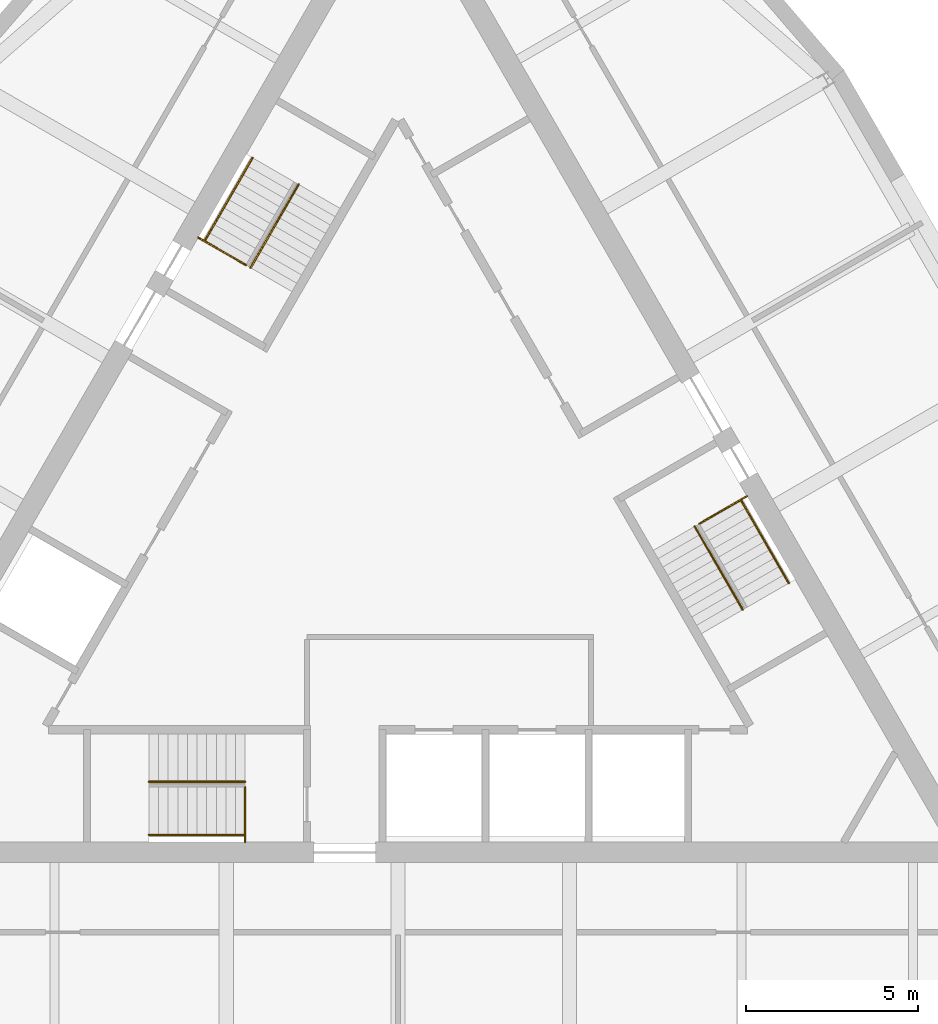
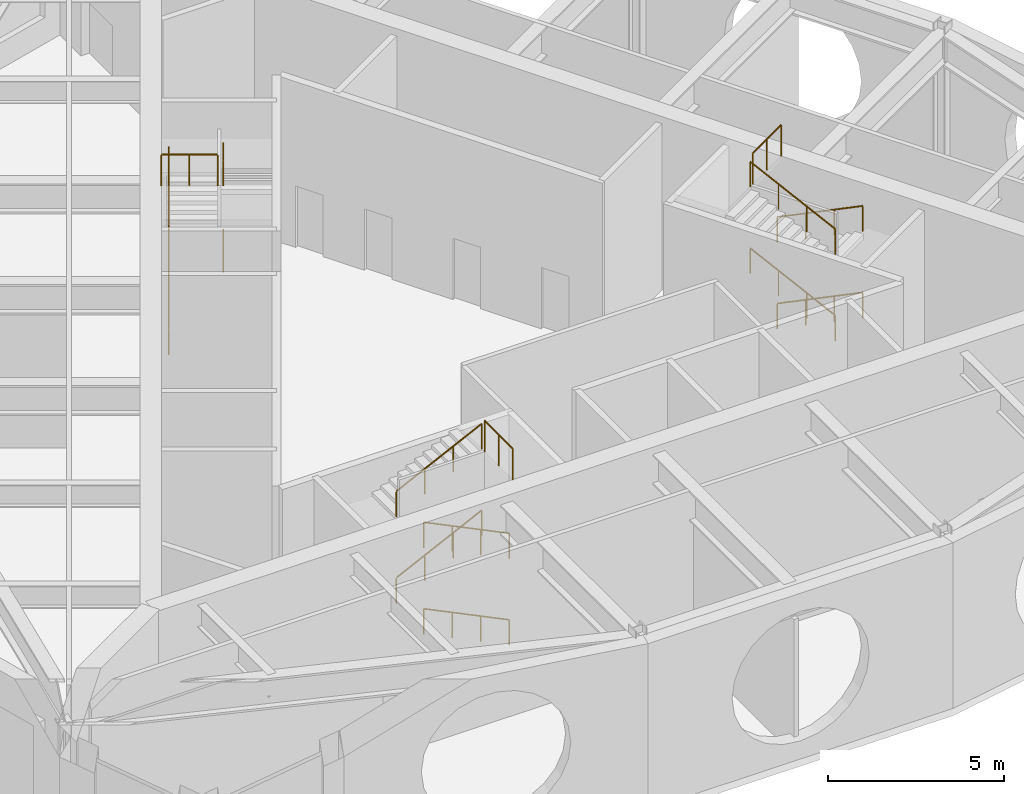
# One storey, part 5 of 5: 15 railings.
"""IFC4 building model written with IfcOpenShell, lengths in metres."""

import ifcopenshell
import ifcopenshell.guid

model = None  # the IFC model being written
_history = None  # IfcOwnerHistory: only IFC2X3 demands one
_inside = {}  # id of a spatial element -> (the spatial element, [elements in it])
_under = {}  # id of a project, library or spatial element -> (it, [spatial elements below it])
_declared = {}  # id of a project -> (the project, [libraries it declares])
_typed = {}  # id of a type object -> (the type object, [elements of that type])
_made_of = {}  # id of a material, layer set ... -> (it, [elements and type objects made of it])


def new_model(schema):
    """Start an empty IFC model of exactly this schema.

    Asked for "IFC4X3", IfcOpenShell would pick the latest addendum, in which some entities
    have other attributes; the version numbers below select the first issue.
    IFC2X3 requires an IfcOwnerHistory on every rooted entity: one is made here for all.
    """
    global model, _history
    if schema == "IFC4X3":
        model = ifcopenshell.file(schema_version=(4, 3, 0, 0))
    else:
        model = ifcopenshell.file(schema=schema)
    _inside.clear()
    _under.clear()
    _declared.clear()
    _typed.clear()
    _made_of.clear()
    _history = None
    if model.schema == "IFC2X3":
        org = make("IfcOrganization", Name="unknown")
        user = make(
            "IfcPersonAndOrganization",
            ThePerson=make("IfcPerson", FamilyName="unknown"),
            TheOrganization=org,
        )
        app = make(
            "IfcApplication",
            ApplicationDeveloper=org,
            Version="unknown",
            ApplicationFullName="unknown",
            ApplicationIdentifier="unknown",
        )
        _history = make(
            "IfcOwnerHistory",
            OwningUser=user,
            OwningApplication=app,
            ChangeAction="ADDED",
            CreationDate=0,
        )
    return model


def make(cls, **values):
    """One entity of the class cls with the attributes given. An attribute that is None is left unset."""
    return model.create_entity(
        cls, **{name: value for name, value in values.items() if value is not None}
    )


def rooted(cls, **values):
    """An entity with a GlobalId (a new one), such as an element, a storey or a relation."""
    return make(cls, GlobalId=ifcopenshell.guid.new(), OwnerHistory=_history, **values)


def si_unit(unit_type, name, prefix=None):
    """IfcSIUnit, for example si_unit("LENGTHUNIT", "METRE", prefix="MILLI")."""
    return make("IfcSIUnit", UnitType=unit_type, Prefix=prefix, Name=name)


def assignment(units):
    """IfcUnitAssignment: the units of a project."""
    return None if units is None else make("IfcUnitAssignment", Units=units)


def point(xyz):
    """IfcCartesianPoint."""
    return None if xyz is None else make("IfcCartesianPoint", Coordinates=xyz)


def direction(xyz):
    """IfcDirection."""
    return None if xyz is None else make("IfcDirection", DirectionRatios=xyz)


def frame(location, z_axis=None, x_axis=None):
    """IfcAxis2Placement3D, a coordinate frame: its origin and axes. An axis left out is left unset."""
    return make(
        "IfcAxis2Placement3D",
        Location=point(location),
        Axis=direction(z_axis),
        RefDirection=direction(x_axis),
    )


def frame_2d(location, x_axis=None):
    """IfcAxis2Placement2D, a coordinate frame in the plane: its origin and x axis."""
    return make(
        "IfcAxis2Placement2D", Location=point(location), RefDirection=direction(x_axis)
    )


def origin():
    """The frame at (0, 0, 0) with its axes left unset."""
    return frame((0.0, 0.0, 0.0))


def origin_2d():
    """The frame at (0, 0) in the plane with its x axis left unset."""
    return frame_2d((0.0, 0.0))


def place(relative_to, where):
    """IfcLocalPlacement: puts the frame where relative to a parent placement (None: the world)."""
    return make(
        "IfcLocalPlacement", PlacementRelTo=relative_to, RelativePlacement=where
    )


def context(
    kind, dimensions, precision=None, world=None, true_north=None, identifier=None
):
    """IfcGeometricRepresentationContext, for example the 3D "Model" context."""
    return make(
        "IfcGeometricRepresentationContext",
        ContextIdentifier=identifier,
        ContextType=kind,
        CoordinateSpaceDimension=dimensions,
        Precision=precision,
        WorldCoordinateSystem=world,
        TrueNorth=true_north,
    )


def subcontext(parent, identifier, kind, view, scale=None):
    """IfcGeometricRepresentationSubContext, for example "Body" below "Model"."""
    return make(
        "IfcGeometricRepresentationSubContext",
        ContextIdentifier=identifier,
        ContextType=kind,
        ParentContext=parent,
        TargetScale=scale,
        TargetView=view,
    )


def project(units=None, contexts=None):
    """IfcProject with its units and contexts."""
    return rooted(
        "IfcProject",
        Name="project",
        RepresentationContexts=contexts,
        UnitsInContext=assignment(units),
    )


def spatial(cls, under=None, at=None, **own):
    """A site, building, storey or space (cls), placed at a placement, below another one or the project."""
    s = rooted(cls, ObjectPlacement=at, **own)
    if under is not None:
        _under.setdefault(under.id(), (under, []))[1].append(s)
    return s


def profile(cls, at=None, kind="AREA", **sizes):
    """A parametric profile (cls). Its sizes go by their IFC names, for example OverallWidth=200.0."""
    return make(cls, ProfileType=kind, Position=at, **sizes)


def circle(**sizes):
    """IfcCircleProfileDef."""
    return profile("IfcCircleProfileDef", **sizes)


def extrude(swept, where, along, depth):
    """IfcExtrudedAreaSolid: the profile swept, set in the frame where, extruded along a direction by depth."""
    return make(
        "IfcExtrudedAreaSolid",
        SweptArea=swept,
        Position=where,
        ExtrudedDirection=direction(along),
        Depth=depth,
    )


def shape(context_of_items, identifier, shape_type, items):
    """IfcShapeRepresentation: the items that make up one representation, for example the "Body"."""
    return make(
        "IfcShapeRepresentation",
        ContextOfItems=context_of_items,
        RepresentationIdentifier=identifier,
        RepresentationType=shape_type,
        Items=items,
    )


def material(Name=None, Category=None):
    """IfcMaterial."""
    return make("IfcMaterial", Name=Name, Category=Category)


def made_of(thing, what):
    """Note that an element or type object is made of a material, layer set ...; save() writes the relation."""
    if what is not None:
        _made_of.setdefault(what.id(), (what, []))[1].append(thing)
    return thing


def type_object(cls, material=None, **own):
    """A type object (cls), such as IfcWallType, which elements share."""
    return made_of(rooted(cls, **own), material)


def element(
    cls,
    number,
    at=None,
    inside=None,
    cuts=None,
    type_object=None,
    material=None,
    context=None,
    identifier="Body",
    shape_type=None,
    held_by="IfcProductDefinitionShape",
    body=None,
    shapes=None,
    **own,
):
    """One element of the class cls, such as IfcWall. Its Tag is "e" and its number.

    at: its placement. inside: the storey or other place that contains it. cuts: it is an
    opening in that element (IfcRelVoidsElement). A single representation is given by context,
    identifier, shape_type and body (its items); several are given by shapes. held_by: the class
    of the entity that holds the representations. save() writes the other relations.
    """
    e = rooted(cls, Tag="e%d" % number, ObjectPlacement=at, **own)
    if body is not None:
        shapes = [shape(context, identifier, shape_type, body)]
    if shapes is not None:
        e.Representation = make(held_by, Representations=shapes)
    if inside is not None:
        _inside.setdefault(inside.id(), (inside, []))[1].append(e)
    if cuts is not None:
        rooted(
            "IfcRelVoidsElement", RelatingBuildingElement=cuts, RelatedOpeningElement=e
        )
    if type_object is not None:
        _typed.setdefault(type_object.id(), (type_object, []))[1].append(e)
    return made_of(e, material)


def aggregate(whole, parts):
    """IfcRelAggregates: a whole, such as a stair, and the parts it consists of."""
    return rooted("IfcRelAggregates", RelatingObject=whole, RelatedObjects=parts)


def save(model, path):
    """Write the relations noted so far, then the file.

    IfcRelAggregates (storeys below a building ...), IfcRelContainedInSpatialStructure (elements
    in a storey), IfcRelDefinesByType, IfcRelAssociatesMaterial and IfcRelDeclares: one each for
    every whole, place, type object, material and project.
    """
    for whole, parts in _under.values():
        aggregate(whole, parts)
    for where, things in _inside.values():
        rooted(
            "IfcRelContainedInSpatialStructure",
            RelatedElements=things,
            RelatingStructure=where,
        )
    for kind, things in _typed.values():
        rooted("IfcRelDefinesByType", RelatedObjects=things, RelatingType=kind)
    for what, things in _made_of.values():
        rooted("IfcRelAssociatesMaterial", RelatedObjects=things, RelatingMaterial=what)
    for by, libraries in _declared.values():
        rooted("IfcRelDeclares", RelatingContext=by, RelatedDefinitions=libraries)
    model.write(path)


model = new_model("IFC4")

# Units and contexts
model_context = context("Model", 3, precision=1e-05, world=origin(), true_north=direction((0.0, 1.0)))
body_context = subcontext(model_context, "Body", "Model", "MODEL_VIEW")
ifc_project = project(units=[si_unit("LENGTHUNIT", "METRE"), si_unit("AREAUNIT", "SQUARE_METRE"), si_unit("VOLUMEUNIT", "CUBIC_METRE"), si_unit("PLANEANGLEUNIT", "RADIAN"), si_unit("MASSUNIT", "GRAM", prefix="KILO")], contexts=[model_context])

# Site, building, storey
site_placement = place(None, origin())
site = spatial("IfcSite", under=ifc_project, at=site_placement, CompositionType="ELEMENT")
building_placement = place(site_placement, origin())
building = spatial("IfcBuilding", under=site, at=building_placement, Name="Trikona Tower", CompositionType="ELEMENT")
storey_placement = place(building_placement, frame((0.0, 0.0, 297.800048828125)))
storey = spatial("IfcBuildingStorey", under=building, at=storey_placement, Name="L77", CompositionType="ELEMENT", Elevation=297.800048828125)

# Railings
ifc_material_1 = material(Name="Stainless steel handrail", Category="steel")
railing_type_1 = type_object("IfcRailingType", Name="Stair handrail", PredefinedType="HANDRAIL", material=ifc_material_1)
railing_1_placement = place(storey_placement, frame((-4.449951171875, -9.016357421875, 0.13623046875)))
element("IfcRailing", 1, at=railing_1_placement, inside=storey, type_object=railing_type_1, Name="Stair handrail A L77 1", PredefinedType="HANDRAIL", context=body_context, shape_type="SweptSolid", body=[
    extrude(circle(Radius=0.02392578125, at=origin_2d()), frame((0.0, 0.0, 0.8759765625), z_axis=(-0.899034972723, 0.0, 0.437876829508), x_axis=(0.0, -1.0, 0.0)), (0.0, 0.0, 1.0), 3.114501953125),
    extrude(circle(Radius=0.02099609375, at=origin_2d()), origin(), (0.0, 0.0, 1.0), 0.851806640625),
    extrude(circle(Radius=0.02099609375, at=origin_2d()), frame((-0.933349609375, 0.0, 0.45458984375)), (0.0, 0.0, 1.0), 0.851806640625),
    extrude(circle(Radius=0.02099609375, at=origin_2d()), frame((-1.86669921875, 0.0, 0.9091796875)), (0.0, 0.0, 1.0), 0.851806640625),
    extrude(circle(Radius=0.02099609375, at=origin_2d()), frame((-2.800048828125, 0.0, 1.36376953125)), (0.0, 0.0, 1.0), 0.851806640625),
])
railing_2_placement = place(storey_placement, frame((-7.25, -7.46630859375, 1.63623046875)))
element("IfcRailing", 2, at=railing_2_placement, inside=storey, type_object=railing_type_1, Name="Stair handrail A L77 2", PredefinedType="HANDRAIL", context=body_context, shape_type="SweptSolid", body=[
    extrude(circle(Radius=0.02392578125, at=origin_2d()), frame((0.0, 0.0, 0.8759765625), z_axis=(0.899034972723, 0.0, 0.437876829508), x_axis=(0.0, 1.0, 0.0)), (0.0, 0.0, 1.0), 3.114501953125),
    extrude(circle(Radius=0.02099609375, at=origin_2d()), origin(), (0.0, 0.0, 1.0), 0.851806640625),
    extrude(circle(Radius=0.02099609375, at=origin_2d()), frame((0.933349609375, 0.0, 0.45458984375)), (0.0, 0.0, 1.0), 0.851806640625),
    extrude(circle(Radius=0.02099609375, at=origin_2d()), frame((1.86669921875, 0.0, 0.9091796875)), (0.0, 0.0, 1.0), 0.851806640625),
    extrude(circle(Radius=0.02099609375, at=origin_2d()), frame((2.800048828125, 0.0, 1.36376953125)), (0.0, 0.0, 1.0), 0.851806640625),
])
railing_3_placement = place(storey_placement, frame((-4.449951171875, -9.016357421875, 3.13623046875)))
element("IfcRailing", 3, at=railing_3_placement, inside=storey, type_object=railing_type_1, Name="Stair handrail A L77 3", PredefinedType="HANDRAIL", context=body_context, shape_type="SweptSolid", body=[
    extrude(circle(Radius=0.02392578125, at=origin_2d()), frame((0.0, 0.0, 0.8759765625), z_axis=(-0.899034972723, 0.0, 0.437876829508), x_axis=(0.0, -1.0, 0.0)), (0.0, 0.0, 1.0), 3.114501953125),
    extrude(circle(Radius=0.02099609375, at=origin_2d()), origin(), (0.0, 0.0, 1.0), 0.851806640625),
    extrude(circle(Radius=0.02099609375, at=origin_2d()), frame((-0.933349609375, 0.0, 0.45458984375)), (0.0, 0.0, 1.0), 0.851806640625),
    extrude(circle(Radius=0.02099609375, at=origin_2d()), frame((-1.86669921875, 0.0, 0.9091796875)), (0.0, 0.0, 1.0), 0.851806640625),
    extrude(circle(Radius=0.02099609375, at=origin_2d()), frame((-2.800048828125, 0.0, 1.36376953125)), (0.0, 0.0, 1.0), 0.851806640625),
])
railing_4_placement = place(storey_placement, frame((-7.25, -7.46630859375, 4.63623046875)))
element("IfcRailing", 4, at=railing_4_placement, inside=storey, type_object=railing_type_1, Name="Stair handrail A L77 4", PredefinedType="HANDRAIL", context=body_context, shape_type="SweptSolid", body=[
    extrude(circle(Radius=0.02392578125, at=origin_2d()), frame((0.0, 0.0, 0.8759765625), z_axis=(0.899034972723, 0.0, 0.437876829508), x_axis=(0.0, 1.0, 0.0)), (0.0, 0.0, 1.0), 3.114501953125),
    extrude(circle(Radius=0.02099609375, at=origin_2d()), origin(), (0.0, 0.0, 1.0), 0.851806640625),
    extrude(circle(Radius=0.02099609375, at=origin_2d()), frame((0.933349609375, 0.0, 0.45458984375)), (0.0, 0.0, 1.0), 0.851806640625),
    extrude(circle(Radius=0.02099609375, at=origin_2d()), frame((1.86669921875, 0.0, 0.9091796875)), (0.0, 0.0, 1.0), 0.851806640625),
    extrude(circle(Radius=0.02099609375, at=origin_2d()), frame((2.800048828125, 0.0, 1.36376953125)), (0.0, 0.0, 1.0), 0.851806640625),
])
railing_5_placement = place(storey_placement, frame((9.9833984375, 0.740966796875, 0.13623046875)))
element("IfcRailing", 5, at=railing_5_placement, inside=storey, type_object=railing_type_1, Name="Stair handrail B L77 1", PredefinedType="HANDRAIL", context=body_context, shape_type="SweptSolid", body=[
    extrude(circle(Radius=0.02392578125, at=origin_2d()), frame((0.0, 0.0, 0.8759765625), z_axis=(0.449470995421, -0.778617962595, 0.437869721036), x_axis=(0.866056369097, 0.49994636267, 0.0)), (0.0, 0.0, 1.0), 3.114501953125),
    extrude(circle(Radius=0.02099609375, at=origin_2d()), origin(), (0.0, 0.0, 1.0), 0.851806640625),
    extrude(circle(Radius=0.02099609375, at=origin_2d()), frame((0.466552734375, -0.808349609375, 0.45458984375)), (0.0, 0.0, 1.0), 0.851806640625),
    extrude(circle(Radius=0.02099609375, at=origin_2d()), frame((0.933349609375, -1.61669921875, 0.9091796875)), (0.0, 0.0, 1.0), 0.851806640625),
    extrude(circle(Radius=0.02099609375, at=origin_2d()), frame((1.39990234375, -2.425048828125, 1.36376953125)), (0.0, 0.0, 1.0), 0.851806640625),
])
railing_6_placement = place(storey_placement, frame((10.041015625, -2.458984375, 1.63623046875)))
element("IfcRailing", 6, at=railing_6_placement, inside=storey, type_object=railing_type_1, Name="Stair handrail B L77 2", PredefinedType="HANDRAIL", context=body_context, shape_type="SweptSolid", body=[
    extrude(circle(Radius=0.02392578125, at=origin_2d()), frame((0.0, 0.0, 0.8759765625), z_axis=(-0.449470995421, 0.778617962595, 0.437869721036), x_axis=(-0.866056369097, -0.49994636267, 0.0)), (0.0, 0.0, 1.0), 3.114501953125),
    extrude(circle(Radius=0.02099609375, at=origin_2d()), origin(), (0.0, 0.0, 1.0), 0.851806640625),
    extrude(circle(Radius=0.02099609375, at=origin_2d()), frame((-0.466552734375, 0.808349609375, 0.45458984375)), (0.0, 0.0, 1.0), 0.851806640625),
    extrude(circle(Radius=0.02099609375, at=origin_2d()), frame((-0.933349609375, 1.61669921875, 0.9091796875)), (0.0, 0.0, 1.0), 0.851806640625),
    extrude(circle(Radius=0.02099609375, at=origin_2d()), frame((-1.39990234375, 2.425048828125, 1.36376953125)), (0.0, 0.0, 1.0), 0.851806640625),
])
railing_7_placement = place(storey_placement, frame((9.9833984375, 0.740966796875, 3.13623046875)))
element("IfcRailing", 7, at=railing_7_placement, inside=storey, type_object=railing_type_1, Name="Stair handrail B L77 3", PredefinedType="HANDRAIL", context=body_context, shape_type="SweptSolid", body=[
    extrude(circle(Radius=0.02392578125, at=origin_2d()), frame((0.0, 0.0, 0.8759765625), z_axis=(0.449470995421, -0.778617962595, 0.437869721036), x_axis=(0.866056369097, 0.49994636267, 0.0)), (0.0, 0.0, 1.0), 3.114501953125),
    extrude(circle(Radius=0.02099609375, at=origin_2d()), origin(), (0.0, 0.0, 1.0), 0.851806640625),
    extrude(circle(Radius=0.02099609375, at=origin_2d()), frame((0.466552734375, -0.808349609375, 0.45458984375)), (0.0, 0.0, 1.0), 0.851806640625),
    extrude(circle(Radius=0.02099609375, at=origin_2d()), frame((0.933349609375, -1.61669921875, 0.9091796875)), (0.0, 0.0, 1.0), 0.851806640625),
    extrude(circle(Radius=0.02099609375, at=origin_2d()), frame((1.39990234375, -2.425048828125, 1.36376953125)), (0.0, 0.0, 1.0), 0.851806640625),
])
railing_8_placement = place(storey_placement, frame((10.041015625, -2.458984375, 4.63623046875)))
element("IfcRailing", 8, at=railing_8_placement, inside=storey, type_object=railing_type_1, Name="Stair handrail B L77 4", PredefinedType="HANDRAIL", context=body_context, shape_type="SweptSolid", body=[
    extrude(circle(Radius=0.02392578125, at=origin_2d()), frame((0.0, 0.0, 0.8759765625), z_axis=(-0.449470995421, 0.778617962595, 0.437869721036), x_axis=(-0.866056369097, -0.49994636267, 0.0)), (0.0, 0.0, 1.0), 3.114501953125),
    extrude(circle(Radius=0.02099609375, at=origin_2d()), origin(), (0.0, 0.0, 1.0), 0.851806640625),
    extrude(circle(Radius=0.02099609375, at=origin_2d()), frame((-0.466552734375, 0.808349609375, 0.45458984375)), (0.0, 0.0, 1.0), 0.851806640625),
    extrude(circle(Radius=0.02099609375, at=origin_2d()), frame((-0.933349609375, 1.61669921875, 0.9091796875)), (0.0, 0.0, 1.0), 0.851806640625),
    extrude(circle(Radius=0.02099609375, at=origin_2d()), frame((-1.39990234375, 2.425048828125, 1.36376953125)), (0.0, 0.0, 1.0), 0.851806640625),
])
railing_9_placement = place(storey_placement, frame((-5.63330078125, 8.275390625, 0.13623046875)))
element("IfcRailing", 9, at=railing_9_placement, inside=storey, type_object=railing_type_1, Name="Stair handrail C L77 1", PredefinedType="HANDRAIL", context=body_context, shape_type="SweptSolid", body=[
    extrude(circle(Radius=0.02392578125, at=origin_2d()), frame((0.0, 0.0, 0.8759765625), z_axis=(0.449498429348, 0.778587094573, 0.437896446867), x_axis=(-0.866034573852, 0.49998411664, 0.0)), (0.0, 0.0, 1.0), 3.1142578125),
    extrude(circle(Radius=0.02099609375, at=origin_2d()), origin(), (0.0, 0.0, 1.0), 0.851806640625),
    extrude(circle(Radius=0.02099609375, at=origin_2d()), frame((0.466552734375, 0.808349609375, 0.45458984375)), (0.0, 0.0, 1.0), 0.851806640625),
    extrude(circle(Radius=0.02099609375, at=origin_2d()), frame((0.933349609375, 1.616455078125, 0.9091796875)), (0.0, 0.0, 1.0), 0.851806640625),
    extrude(circle(Radius=0.02099609375, at=origin_2d()), frame((1.39990234375, 2.4248046875, 1.36376953125)), (0.0, 0.0, 1.0), 0.851806640625),
])
railing_10_placement = place(storey_placement, frame((-2.89111328125, 9.92529296875, 1.63623046875)))
element("IfcRailing", 10, at=railing_10_placement, inside=storey, type_object=railing_type_1, Name="Stair handrail C L77 2", PredefinedType="HANDRAIL", context=body_context, shape_type="SweptSolid", body=[
    extrude(circle(Radius=0.02392578125, at=origin_2d()), frame((0.0, 0.0, 0.8759765625), z_axis=(-0.449470995421, -0.778617962595, 0.437869721036), x_axis=(0.866056369097, -0.49994636267, 0.0)), (0.0, 0.0, 1.0), 3.114501953125),
    extrude(circle(Radius=0.02099609375, at=origin_2d()), origin(), (0.0, 0.0, 1.0), 0.851806640625),
    extrude(circle(Radius=0.02099609375, at=origin_2d()), frame((-0.466552734375, -0.808349609375, 0.45458984375)), (0.0, 0.0, 1.0), 0.851806640625),
    extrude(circle(Radius=0.02099609375, at=origin_2d()), frame((-0.933349609375, -1.61669921875, 0.9091796875)), (0.0, 0.0, 1.0), 0.851806640625),
    extrude(circle(Radius=0.02099609375, at=origin_2d()), frame((-1.39990234375, -2.425048828125, 1.36376953125)), (0.0, 0.0, 1.0), 0.851806640625),
])
railing_11_placement = place(storey_placement, frame((-5.63330078125, 8.275390625, 3.13623046875)))
element("IfcRailing", 11, at=railing_11_placement, inside=storey, type_object=railing_type_1, Name="Stair handrail C L77 3", PredefinedType="HANDRAIL", context=body_context, shape_type="SweptSolid", body=[
    extrude(circle(Radius=0.02392578125, at=origin_2d()), frame((0.0, 0.0, 0.8759765625), z_axis=(0.449498429348, 0.778587094573, 0.437896446867), x_axis=(-0.866034573852, 0.49998411664, 0.0)), (0.0, 0.0, 1.0), 3.1142578125),
    extrude(circle(Radius=0.02099609375, at=origin_2d()), origin(), (0.0, 0.0, 1.0), 0.851806640625),
    extrude(circle(Radius=0.02099609375, at=origin_2d()), frame((0.466552734375, 0.808349609375, 0.45458984375)), (0.0, 0.0, 1.0), 0.851806640625),
    extrude(circle(Radius=0.02099609375, at=origin_2d()), frame((0.933349609375, 1.616455078125, 0.9091796875)), (0.0, 0.0, 1.0), 0.851806640625),
    extrude(circle(Radius=0.02099609375, at=origin_2d()), frame((1.39990234375, 2.4248046875, 1.36376953125)), (0.0, 0.0, 1.0), 0.851806640625),
])
railing_12_placement = place(storey_placement, frame((-2.89111328125, 9.92529296875, 4.63623046875)))
element("IfcRailing", 12, at=railing_12_placement, inside=storey, type_object=railing_type_1, Name="Stair handrail C L77 4", PredefinedType="HANDRAIL", context=body_context, shape_type="SweptSolid", body=[
    extrude(circle(Radius=0.02392578125, at=origin_2d()), frame((0.0, 0.0, 0.8759765625), z_axis=(-0.449470995421, -0.778617962595, 0.437869721036), x_axis=(0.866056369097, -0.49994636267, 0.0)), (0.0, 0.0, 1.0), 3.114501953125),
    extrude(circle(Radius=0.02099609375, at=origin_2d()), origin(), (0.0, 0.0, 1.0), 0.851806640625),
    extrude(circle(Radius=0.02099609375, at=origin_2d()), frame((-0.466552734375, -0.808349609375, 0.45458984375)), (0.0, 0.0, 1.0), 0.851806640625),
    extrude(circle(Radius=0.02099609375, at=origin_2d()), frame((-0.933349609375, -1.61669921875, 0.9091796875)), (0.0, 0.0, 1.0), 0.851806640625),
    extrude(circle(Radius=0.02099609375, at=origin_2d()), frame((-1.39990234375, -2.425048828125, 1.36376953125)), (0.0, 0.0, 1.0), 0.851806640625),
])
ifc_material_2 = material(Name="Stainless steel guard with glass infill", Category="steel")
railing_type_2 = type_object("IfcRailingType", Name="Stair well guard 1100", PredefinedType="GUARDRAIL", material=ifc_material_2)
railing_13_placement = place(storey_placement, frame((-4.449951171875, -7.626220703125, 6.0)))
element("IfcRailing", 13, at=railing_13_placement, inside=storey, type_object=railing_type_2, Name="Stair well guard A L77", PredefinedType="GUARDRAIL", context=body_context, shape_type="SweptSolid", body=[
    extrude(circle(Radius=0.02392578125, at=origin_2d()), frame((0.0, 0.0, 1.076171875), z_axis=(0.0, -1.0, 0.0), x_axis=(1.0, 0.0, 0.0)), (0.0, 0.0, 1.0), 1.60009765625),
    extrude(circle(Radius=0.02099609375, at=origin_2d()), origin(), (0.0, 0.0, 1.0), 1.052001953125),
    extrude(circle(Radius=0.02099609375, at=origin_2d()), frame((0.0, -0.800048828125, 0.0)), (0.0, 0.0, 1.0), 1.052001953125),
    extrude(circle(Radius=0.02099609375, at=origin_2d()), frame((0.0, -1.60009765625, 0.0)), (0.0, 0.0, 1.0), 1.052001953125),
])
railing_14_placement = place(storey_placement, frame((8.779541015625, 0.0458984375, 6.0)))
element("IfcRailing", 14, at=railing_14_placement, inside=storey, type_object=railing_type_2, Name="Stair well guard B L77", PredefinedType="GUARDRAIL", context=body_context, shape_type="SweptSolid", body=[
    extrude(circle(Radius=0.02392578125, at=origin_2d()), frame((0.0, 0.0, 1.076171875), z_axis=(0.866028054938, 0.499995408039, 0.0), x_axis=(-0.499995408039, 0.866028054938, 0.0)), (0.0, 0.0, 1.0), 1.60009765625),
    extrude(circle(Radius=0.02099609375, at=origin_2d()), origin(), (0.0, 0.0, 1.0), 1.052001953125),
    extrude(circle(Radius=0.02099609375, at=origin_2d()), frame((0.69287109375, 0.39990234375, 0.0)), (0.0, 0.0, 1.0), 1.052001953125),
    extrude(circle(Radius=0.02099609375, at=origin_2d()), frame((1.3857421875, 0.800048828125, 0.0)), (0.0, 0.0, 1.0), 1.052001953125),
])
railing_15_placement = place(storey_placement, frame((-4.4296875, 7.580322265625, 6.0)))
element("IfcRailing", 15, at=railing_15_placement, inside=storey, type_object=railing_type_2, Name="Stair well guard C L77", PredefinedType="GUARDRAIL", context=body_context, shape_type="SweptSolid", body=[
    extrude(circle(Radius=0.02392578125, at=origin_2d()), frame((0.0, 0.0, 1.076171875), z_axis=(-0.865989903783, 0.500061482766, 0.0), x_axis=(-0.500061482766, -0.865989903783, 0.0)), (0.0, 0.0, 1.0), 1.599853515625),
    extrude(circle(Radius=0.02099609375, at=origin_2d()), origin(), (0.0, 0.0, 1.0), 1.052001953125),
    extrude(circle(Radius=0.02099609375, at=origin_2d()), frame((-0.69287109375, 0.39990234375, 0.0)), (0.0, 0.0, 1.0), 1.052001953125),
    extrude(circle(Radius=0.02099609375, at=origin_2d()), frame((-1.385498046875, 0.800048828125, 0.0)), (0.0, 0.0, 1.0), 1.052001953125),
])

save(model, "model.ifc")
